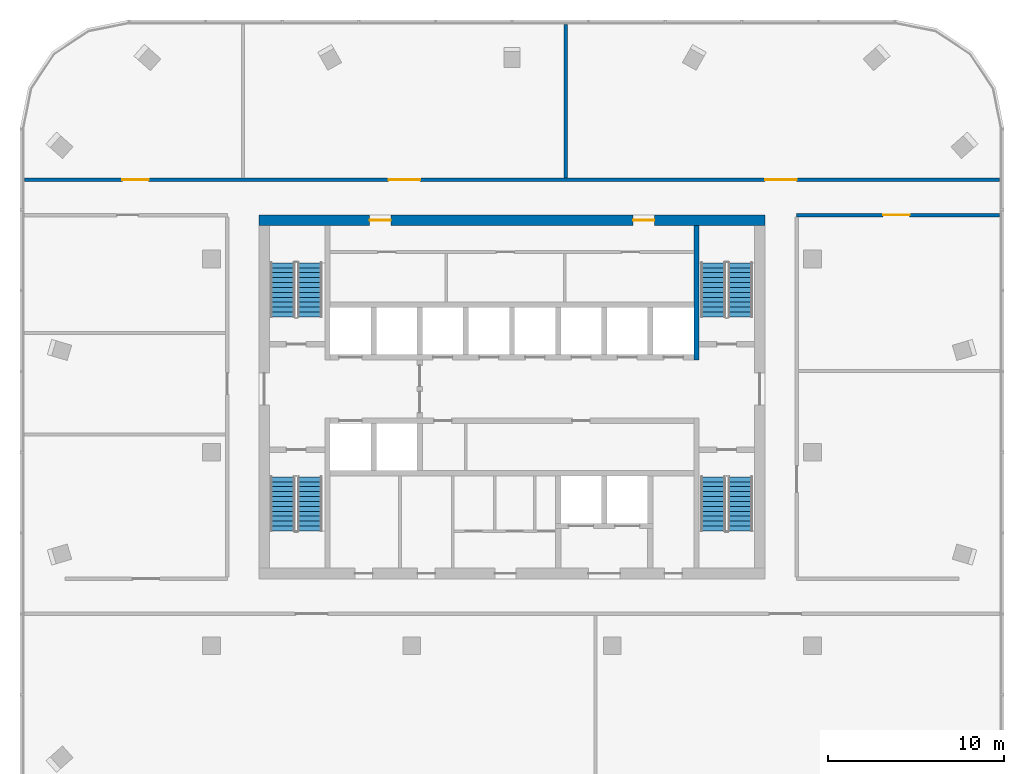
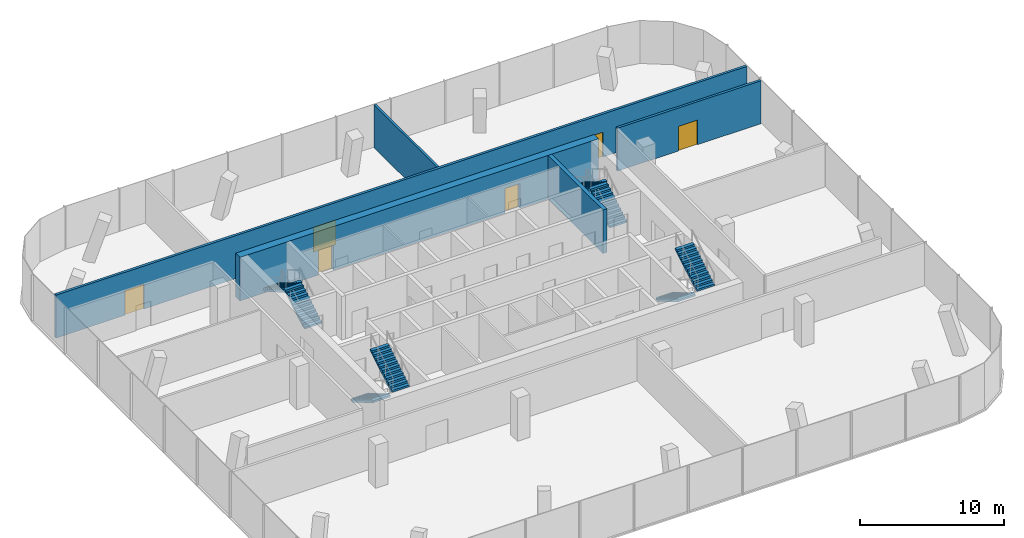
# One storey, part 9 of 10: 8 stair flights, 6 doors, 5 walls, 6 openings, 4 elements without a shape of their own.
"""IFC4 building model written with IfcOpenShell, lengths in metres."""

from ifc_helpers import new_model, si_unit, direction, frame, frame_2d, origin, place, context, subcontext, project, spatial, polyline, rectangle, outline, extrude, material, layer, layer_set, type_object, element, fill, aggregate, save


model = new_model("IFC4")

# Units and contexts
model_context = context("Model", 3, precision=1e-05, world=origin(), true_north=direction((0.0, 1.0)))
body_context = subcontext(model_context, "Body", "Model", "MODEL_VIEW")
ifc_project = project(units=[si_unit("LENGTHUNIT", "METRE"), si_unit("AREAUNIT", "SQUARE_METRE"), si_unit("VOLUMEUNIT", "CUBIC_METRE"), si_unit("PLANEANGLEUNIT", "RADIAN"), si_unit("MASSUNIT", "GRAM", prefix="KILO")], contexts=[model_context])

# Site, building, storey
site_placement = place(None, origin())
site = spatial("IfcSite", under=ifc_project, at=site_placement, CompositionType="ELEMENT")
building_placement = place(site_placement, origin())
building = spatial("IfcBuilding", under=site, at=building_placement, Name="Mopane Tessera Tower", CompositionType="ELEMENT")
storey_placement = place(building_placement, frame((0.0, 0.0, 325.39990234375)))
storey = spatial("IfcBuildingStorey", under=building, at=storey_placement, Name="L71", CompositionType="ELEMENT", Elevation=325.39990234375)

# Wall, openings, doors
ifc_material_1 = material(Name="Concrete C70/85", Category="concrete")
ifc_layer_1 = layer(ifc_material_1, 0.60009765625)
ifc_layer_set_1 = layer_set([ifc_layer_1], Name="Concrete C70/85")
wall_type_1 = type_object("IfcWallType", Name="Core shear wall 600 mm", PredefinedType="SHEAR", material=ifc_layer_set_1)
wall_1_placement = place(storey_placement, frame((-14.39990234375, 13.199951171875, 0.0), z_axis=(0.0, 0.0, 1.0), x_axis=(1.0, 0.0, 0.0)))
wall_1 = element("IfcWall", 1, at=wall_1_placement, inside=storey, type_object=wall_type_1, Name="L71 Core wall north", PredefinedType="SHEAR", context=body_context, shape_type="SweptSolid", body=[
    extrude(rectangle(XDim=28.7998046875, YDim=0.60009765625, at=frame_2d((14.39990234375, 0.0))), origin(), (0.0, 0.0, 1.0), 3.7001953125),
])
opening_1_placement = place(wall_1_placement, frame((6.300048828125, 0.0, 0.0)))
opening_1 = element("IfcOpeningElement", 2, at=opening_1_placement, cuts=wall_1, Name="Opening RD2", PredefinedType="OPENING", context=body_context, shape_type="SweptSolid", body=[
    extrude(rectangle(XDim=1.199951171875, YDim=2.10009765625, at=frame_2d((0.60009765625, 1.050048828125))), frame((0.0, 0.31201171875, 0.0), z_axis=(0.0, -1.0, 0.0), x_axis=(1.0, 0.0, 0.0)), (0.0, 0.0, 1.0), 0.6240234375),
])
opening_2_placement = place(wall_1_placement, frame((21.300048828125, 0.0, 0.0)))
opening_2 = element("IfcOpeningElement", 3, at=opening_2_placement, cuts=wall_1, Name="Opening RD2", PredefinedType="OPENING", context=body_context, shape_type="SweptSolid", body=[
    extrude(rectangle(XDim=1.199951171875, YDim=2.10009765625, at=frame_2d((0.60009765625, 1.050048828125))), frame((0.0, 0.31201171875, 0.0), z_axis=(0.0, -1.0, 0.0), x_axis=(1.0, 0.0, 0.0)), (0.0, 0.0, 1.0), 0.6240234375),
])
ifc_material_2 = material(Name="Timber door", Category="wood")
door_type_1 = type_object("IfcDoorType", Name="Core corridor door 1200 x 2100", OperationType="SINGLE_SWING_LEFT", PredefinedType="DOOR", material=ifc_material_2)
door_1_placement = place(opening_1_placement, origin())
door_1 = element("IfcDoor", 4, at=door_1_placement, inside=storey, type_object=door_type_1, Name="L71 Corridor door", OperationType="SINGLE_SWING_LEFT", OverallHeight=2.10009765625, OverallWidth=1.199951171875, PredefinedType="DOOR", context=body_context, shape_type="SweptSolid", body=[
    extrude(rectangle(XDim=1.199951171875, YDim=2.10009765625, at=frame_2d((0.60009765625, 1.050048828125))), frame((0.0, 0.02490234375, 0.0), z_axis=(0.0, -1.0, 0.0), x_axis=(1.0, 0.0, 0.0)), (0.0, 0.0, 1.0), 0.050048828125),
])
fill(opening_1, door_1)
door_2_placement = place(opening_2_placement, origin())
door_2 = element("IfcDoor", 5, at=door_2_placement, inside=storey, type_object=door_type_1, Name="L71 Corridor door", OperationType="SINGLE_SWING_RIGHT", OverallHeight=2.10009765625, OverallWidth=1.199951171875, PredefinedType="DOOR", context=body_context, shape_type="SweptSolid", body=[
    extrude(rectangle(XDim=1.199951171875, YDim=2.10009765625, at=frame_2d((0.60009765625, 1.050048828125))), frame((0.0, 0.02490234375, 0.0), z_axis=(0.0, -1.0, 0.0), x_axis=(1.0, 0.0, 0.0)), (0.0, 0.0, 1.0), 0.050048828125),
])
fill(opening_2, door_2)

# Walls
ifc_material_3 = material(Name="Concrete C60/75", Category="concrete")
ifc_layer_2 = layer(ifc_material_3, 0.300048828125)
ifc_layer_set_2 = layer_set([ifc_layer_2], Name="Concrete C60/75")
wall_type_2 = type_object("IfcWallType", Name="Core spine wall 300 mm", PredefinedType="SHEAR", material=ifc_layer_set_2)
wall_2_placement = place(storey_placement, frame((10.5, 5.25, 0.0), z_axis=(0.0, 0.0, 1.0), x_axis=(0.0, 1.0, 0.0)))
element("IfcWall", 6, at=wall_2_placement, inside=storey, type_object=wall_type_2, Name="L71 Core spine wall", PredefinedType="SHEAR", context=body_context, shape_type="SweptSolid", body=[
    extrude(rectangle(XDim=7.64990234375, YDim=0.300048828125, at=frame_2d((3.824951171875, 0.0))), origin(), (0.0, 0.0, 1.0), 3.7001953125),
])
ifc_material_4 = material(Name="Gypsum board on staggered steel studs, double layer each face, acoustic mineral wool infill", Category="steel")
ifc_layer_3 = layer(ifc_material_4, 0.175048828125)
ifc_layer_set_3 = layer_set([ifc_layer_3], Name="Gypsum board on staggered steel studs, double layer each face, acoustic mineral wool infill")
wall_type_3 = type_object("IfcWallType", Name="Gypsum board acoustic partition 175, rated EI 60", PredefinedType="PARTITIONING", material=ifc_layer_set_3)
wall_3_placement = place(storey_placement, frame((3.06005859375, 15.60009765625, 0.0), z_axis=(0.0, 0.0, 1.0), x_axis=(0.0, 1.0, 0.0)))
element("IfcWall", 7, at=wall_3_placement, inside=storey, type_object=wall_type_3, Name="Partition L71:011", PredefinedType="PARTITIONING", context=body_context, shape_type="SweptSolid", body=[
    extrude(rectangle(XDim=8.75, YDim=0.175048828125, at=frame_2d((4.375, 0.0))), origin(), (0.0, 0.0, 1.0), 3.650146484375),
])

# Wall, opening, door
ifc_material_5 = material(Name="Gypsum board on steel studs, two layers each face, mineral wool infill", Category="steel")
ifc_layer_4 = layer(ifc_material_5, 0.199951171875)
ifc_layer_set_4 = layer_set([ifc_layer_4], Name="Gypsum board on steel studs, two layers each face, mineral wool infill")
wall_type_4 = type_object("IfcWallType", Name="Gypsum board corridor wall 200, rated EI 60", PredefinedType="PARTITIONING", material=ifc_layer_set_4)
wall_4_placement = place(storey_placement, frame((16.199951171875, 13.5, 0.0), z_axis=(0.0, 0.0, 1.0), x_axis=(1.0, 0.0, 0.0)))
wall_4 = element("IfcWall", 8, at=wall_4_placement, inside=storey, type_object=wall_type_4, Name="Partition L71:007", PredefinedType="PARTITIONING", context=body_context, shape_type="SweptSolid", body=[
    extrude(rectangle(XDim=11.550048828125, YDim=0.199951171875, at=frame_2d((5.77490234375, 0.0))), origin(), (0.0, 0.0, 1.0), 3.650146484375),
])
opening_3_placement = place(wall_4_placement, frame((4.925048828125, 0.0, 0.0)))
opening_3 = element("IfcOpeningElement", 9, at=opening_3_placement, cuts=wall_4, Name="Opening L71-10", PredefinedType="OPENING", context=body_context, shape_type="SweptSolid", body=[
    extrude(rectangle(XDim=1.5, YDim=2.10009765625, at=frame_2d((0.75, 1.050048828125))), frame((0.0, 0.112060546875, 0.0), z_axis=(0.0, -1.0, 0.0), x_axis=(1.0, 0.0, 0.0)), (0.0, 0.0, 1.0), 0.223876953125),
])
ifc_material_6 = material(Name="Timber veneered steel-framed fire door", Category="steel")
door_type_2 = type_object("IfcDoorType", Name="Fire door pair FD60 1500 x 2100", OperationType="DOUBLE_DOOR_SINGLE_SWING", PredefinedType="DOOR", material=ifc_material_6)
door_3_placement = place(opening_3_placement, origin())
door_3 = element("IfcDoor", 10, at=door_3_placement, inside=storey, type_object=door_type_2, Name="Door L71-10", ObjectType="D17A", OperationType="DOUBLE_DOOR_SINGLE_SWING", OverallHeight=2.10009765625, OverallWidth=1.5, PredefinedType="DOOR", context=body_context, shape_type="SweptSolid", body=[
    extrude(rectangle(XDim=1.5, YDim=2.10009765625, at=frame_2d((0.75, 1.050048828125))), frame((0.0, 0.02490234375, 0.0), z_axis=(0.0, -1.0, 0.0), x_axis=(1.0, 0.0, 0.0)), (0.0, 0.0, 1.0), 0.050048828125),
])
fill(opening_3, door_3)

# Wall, openings, doors
wall_5_placement = place(storey_placement, frame((-27.75, 15.5, 0.0), z_axis=(0.0, 0.0, 1.0), x_axis=(1.0, 0.0, 0.0)))
wall_5 = element("IfcWall", 11, at=wall_5_placement, inside=storey, type_object=wall_type_4, Name="Partition L71:008", PredefinedType="PARTITIONING", context=body_context, shape_type="SweptSolid", body=[
    extrude(rectangle(XDim=55.5, YDim=0.199951171875, at=frame_2d((27.75, 0.0))), origin(), (0.0, 0.0, 1.0), 3.650146484375),
])
opening_4_placement = place(wall_5_placement, frame((42.155029296875, 0.0, 0.0)))
opening_4 = element("IfcOpeningElement", 12, at=opening_4_placement, cuts=wall_5, Name="Opening L71-01", PredefinedType="OPENING", context=body_context, shape_type="SweptSolid", body=[
    extrude(rectangle(XDim=1.800048828125, YDim=2.10009765625, at=frame_2d((0.89990234375, 1.050048828125))), frame((0.0, 0.112060546875, 0.0), z_axis=(0.0, -1.0, 0.0), x_axis=(1.0, 0.0, 0.0)), (0.0, 0.0, 1.0), 0.223876953125),
])
opening_5_placement = place(wall_5_placement, frame((5.572509765625, 0.0, 0.0)))
opening_5 = element("IfcOpeningElement", 13, at=opening_5_placement, cuts=wall_5, Name="Opening L71-04", PredefinedType="OPENING", context=body_context, shape_type="SweptSolid", body=[
    extrude(rectangle(XDim=1.5, YDim=2.10009765625, at=frame_2d((0.75, 1.050048828125))), frame((0.0, 0.112060546875, 0.0), z_axis=(0.0, -1.0, 0.0), x_axis=(1.0, 0.0, 0.0)), (0.0, 0.0, 1.0), 0.223876953125),
])
opening_6_placement = place(wall_5_placement, frame((20.7275390625, 0.0, 0.0)))
opening_6 = element("IfcOpeningElement", 14, at=opening_6_placement, cuts=wall_5, Name="Opening L71-09", PredefinedType="OPENING", context=body_context, shape_type="SweptSolid", body=[
    extrude(rectangle(XDim=1.800048828125, YDim=2.10009765625, at=frame_2d((0.89990234375, 1.050048828125))), frame((0.0, 0.112060546875, 0.0), z_axis=(0.0, -1.0, 0.0), x_axis=(1.0, 0.0, 0.0)), (0.0, 0.0, 1.0), 0.223876953125),
])
door_4_placement = place(opening_5_placement, origin())
door_4 = element("IfcDoor", 15, at=door_4_placement, inside=storey, type_object=door_type_2, Name="Door L71-04", ObjectType="D17A", OperationType="DOUBLE_DOOR_SINGLE_SWING", OverallHeight=2.10009765625, OverallWidth=1.5, PredefinedType="DOOR", context=body_context, shape_type="SweptSolid", body=[
    extrude(rectangle(XDim=1.5, YDim=2.10009765625, at=frame_2d((0.75, 1.050048828125))), frame((0.0, 0.02490234375, 0.0), z_axis=(0.0, -1.0, 0.0), x_axis=(1.0, 0.0, 0.0)), (0.0, 0.0, 1.0), 0.050048828125),
])
fill(opening_5, door_4)
ifc_material_7 = material(Name="Timber veneered steel-framed fire door", Category="steel")
door_type_3 = type_object("IfcDoorType", Name="Fire door pair FD60 1800 x 2100", OperationType="DOUBLE_DOOR_SINGLE_SWING", PredefinedType="DOOR", material=ifc_material_7)
door_5_placement = place(opening_4_placement, origin())
door_5 = element("IfcDoor", 16, at=door_5_placement, inside=storey, type_object=door_type_3, Name="Door L71-01", ObjectType="D20A", OperationType="DOUBLE_DOOR_SINGLE_SWING", OverallHeight=2.10009765625, OverallWidth=1.800048828125, PredefinedType="DOOR", context=body_context, shape_type="SweptSolid", body=[
    extrude(rectangle(XDim=1.800048828125, YDim=2.10009765625, at=frame_2d((0.89990234375, 1.050048828125))), frame((0.0, 0.02490234375, 0.0), z_axis=(0.0, -1.0, 0.0), x_axis=(1.0, 0.0, 0.0)), (0.0, 0.0, 1.0), 0.050048828125),
])
fill(opening_4, door_5)
door_6_placement = place(opening_6_placement, origin())
door_6 = element("IfcDoor", 17, at=door_6_placement, inside=storey, type_object=door_type_3, Name="Door L71-09", ObjectType="D20A", OperationType="DOUBLE_DOOR_SINGLE_SWING", OverallHeight=2.10009765625, OverallWidth=1.800048828125, PredefinedType="DOOR", context=body_context, shape_type="SweptSolid", body=[
    extrude(rectangle(XDim=1.800048828125, YDim=2.10009765625, at=frame_2d((0.89990234375, 1.050048828125))), frame((0.0, 0.02490234375, 0.0), z_axis=(0.0, -1.0, 0.0), x_axis=(1.0, 0.0, 0.0)), (0.0, 0.0, 1.0), 0.050048828125),
])
fill(opening_6, door_6)

# Stair, stair flights
ifc_material_8 = material(Name="Concrete C50/60", Category="concrete")
stair_type = type_object("IfcStairType", Name="Escape stair 1400 mm, riser 167 mm", PredefinedType="HALF_TURN_STAIR", material=ifc_material_8)
stair_1_placement = place(storey_placement, origin())
stair_1 = element("IfcStair", 18, at=stair_1_placement, inside=storey, type_object=stair_type, Name="L71 Escape stair south-west", PredefinedType="HALF_TURN_STAIR")
ifc_material_9 = material(Name="Concrete C50/60", Category="concrete")
stair_flight_type = type_object("IfcStairFlightType", Name="Escape stair flight 1400 mm", PredefinedType="STRAIGHT", material=ifc_material_9)
stair_flight_1_placement = place(storey_placement, frame((-13.050048828125, -1.39990234375, 0.0), z_axis=(0.0, 0.0, 1.0), x_axis=(0.0, -1.0, 0.0)))
stair_flight_1 = element("IfcStairFlight", 19, at=stair_flight_1_placement, type_object=stair_flight_type, Name="ST1 flight 1", NumberOfRisers=12, NumberOfTreads=11, PredefinedType="STRAIGHT", RiserHeight=0.166666667, TreadLength=0.28, context=body_context, shape_type="SweptSolid", body=[
    extrude(outline(polyline([(0.0, 0.0), (0.0, 0.166748046875), (0.280029296875, 0.166748046875), (0.280029296875, 0.333251953125), (0.56005859375, 0.333251953125), (0.56005859375, 0.5), (0.840087890625, 0.5), (0.840087890625, 0.666748046875), (1.1201171875, 0.666748046875), (1.1201171875, 0.833251953125), (1.39990234375, 0.833251953125), (1.39990234375, 1.0), (1.679931640625, 1.0), (1.679931640625, 1.166748046875), (1.9599609375, 1.166748046875), (1.9599609375, 1.333251953125), (2.239990234375, 1.333251953125), (2.239990234375, 1.5), (2.52001953125, 1.5), (2.52001953125, 1.666748046875), (2.800048828125, 1.666748046875), (2.800048828125, 1.833251953125), (3.080078125, 1.833251953125), (3.080078125, 2.0), (3.080078125, 1.658935546875), (0.29296875, 0.0), (0.0, 0.0)])), frame((0.0, 0.699951171875, 0.0), z_axis=(0.0, -1.0, 0.0), x_axis=(1.0, 0.0, 0.0)), (0.0, 0.0, 1.0), 1.39990234375),
])
stair_flight_2_placement = place(storey_placement, frame((-11.5, -4.47998046875, 2.0), z_axis=(0.0, 0.0, 1.0), x_axis=(0.0, 1.0, 0.0)))
stair_flight_2 = element("IfcStairFlight", 20, at=stair_flight_2_placement, type_object=stair_flight_type, Name="ST1 flight 2", NumberOfRisers=12, NumberOfTreads=11, PredefinedType="STRAIGHT", RiserHeight=0.166666667, TreadLength=0.28, context=body_context, shape_type="SweptSolid", body=[
    extrude(outline(polyline([(0.0, 0.0), (0.0, 0.166748046875), (0.280029296875, 0.166748046875), (0.280029296875, 0.333251953125), (0.56005859375, 0.333251953125), (0.56005859375, 0.5), (0.840087890625, 0.5), (0.840087890625, 0.666748046875), (1.1201171875, 0.666748046875), (1.1201171875, 0.833251953125), (1.39990234375, 0.833251953125), (1.39990234375, 1.0), (1.679931640625, 1.0), (1.679931640625, 1.166748046875), (1.9599609375, 1.166748046875), (1.9599609375, 1.333251953125), (2.239990234375, 1.333251953125), (2.239990234375, 1.5), (2.52001953125, 1.5), (2.52001953125, 1.666748046875), (2.800048828125, 1.666748046875), (2.800048828125, 1.833251953125), (3.080078125, 1.833251953125), (3.080078125, 2.0), (3.080078125, 1.658935546875), (0.29296875, 0.0), (0.0, 0.0)])), frame((0.0, 0.699951171875, 0.0), z_axis=(0.0, -1.0, 0.0), x_axis=(1.0, 0.0, 0.0)), (0.0, 0.0, 1.0), 1.39990234375),
])
aggregate(stair_1, [stair_flight_1, stair_flight_2])

stair_2_placement = place(storey_placement, origin())
stair_2 = element("IfcStair", 21, at=stair_2_placement, inside=storey, type_object=stair_type, Name="L71 Escape stair north-west", PredefinedType="HALF_TURN_STAIR")
stair_flight_3_placement = place(storey_placement, frame((-11.5, 7.699951171875, 0.0), z_axis=(0.0, 0.0, 1.0), x_axis=(0.0, 1.0, 0.0)))
stair_flight_3 = element("IfcStairFlight", 22, at=stair_flight_3_placement, type_object=stair_flight_type, Name="ST2 flight 1", NumberOfRisers=12, NumberOfTreads=11, PredefinedType="STRAIGHT", RiserHeight=0.166666667, TreadLength=0.28, context=body_context, shape_type="SweptSolid", body=[
    extrude(outline(polyline([(0.0, 0.0), (0.0, 0.166748046875), (0.280029296875, 0.166748046875), (0.280029296875, 0.333251953125), (0.56005859375, 0.333251953125), (0.56005859375, 0.5), (0.840087890625, 0.5), (0.840087890625, 0.666748046875), (1.1201171875, 0.666748046875), (1.1201171875, 0.833251953125), (1.39990234375, 0.833251953125), (1.39990234375, 1.0), (1.679931640625, 1.0), (1.679931640625, 1.166748046875), (1.9599609375, 1.166748046875), (1.9599609375, 1.333251953125), (2.239990234375, 1.333251953125), (2.239990234375, 1.5), (2.52001953125, 1.5), (2.52001953125, 1.666748046875), (2.800048828125, 1.666748046875), (2.800048828125, 1.833251953125), (3.080078125, 1.833251953125), (3.080078125, 2.0), (3.080078125, 1.658935546875), (0.29296875, 0.0), (0.0, 0.0)])), frame((0.0, 0.699951171875, 0.0), z_axis=(0.0, -1.0, 0.0), x_axis=(1.0, 0.0, 0.0)), (0.0, 0.0, 1.0), 1.39990234375),
])
stair_flight_4_placement = place(storey_placement, frame((-13.050048828125, 10.780029296875, 2.0), z_axis=(0.0, 0.0, 1.0), x_axis=(0.0, -1.0, 0.0)))
stair_flight_4 = element("IfcStairFlight", 23, at=stair_flight_4_placement, type_object=stair_flight_type, Name="ST2 flight 2", NumberOfRisers=12, NumberOfTreads=11, PredefinedType="STRAIGHT", RiserHeight=0.166666667, TreadLength=0.28, context=body_context, shape_type="SweptSolid", body=[
    extrude(outline(polyline([(0.0, 0.0), (0.0, 0.166748046875), (0.280029296875, 0.166748046875), (0.280029296875, 0.333251953125), (0.56005859375, 0.333251953125), (0.56005859375, 0.5), (0.840087890625, 0.5), (0.840087890625, 0.666748046875), (1.1201171875, 0.666748046875), (1.1201171875, 0.833251953125), (1.39990234375, 0.833251953125), (1.39990234375, 1.0), (1.679931640625, 1.0), (1.679931640625, 1.166748046875), (1.9599609375, 1.166748046875), (1.9599609375, 1.333251953125), (2.239990234375, 1.333251953125), (2.239990234375, 1.5), (2.52001953125, 1.5), (2.52001953125, 1.666748046875), (2.800048828125, 1.666748046875), (2.800048828125, 1.833251953125), (3.080078125, 1.833251953125), (3.080078125, 2.0), (3.080078125, 1.658935546875), (0.29296875, 0.0), (0.0, 0.0)])), frame((0.0, 0.699951171875, 0.0), z_axis=(0.0, -1.0, 0.0), x_axis=(1.0, 0.0, 0.0)), (0.0, 0.0, 1.0), 1.39990234375),
])
aggregate(stair_2, [stair_flight_3, stair_flight_4])

stair_3_placement = place(storey_placement, origin())
stair_3 = element("IfcStair", 24, at=stair_3_placement, inside=storey, type_object=stair_type, Name="L71 Escape stair south-east", PredefinedType="HALF_TURN_STAIR")
stair_flight_5_placement = place(storey_placement, frame((11.449951171875, -1.39990234375, 0.0), z_axis=(0.0, 0.0, 1.0), x_axis=(0.0, -1.0, 0.0)))
stair_flight_5 = element("IfcStairFlight", 25, at=stair_flight_5_placement, type_object=stair_flight_type, Name="ST3 flight 1", NumberOfRisers=12, NumberOfTreads=11, PredefinedType="STRAIGHT", RiserHeight=0.166666667, TreadLength=0.28, context=body_context, shape_type="SweptSolid", body=[
    extrude(outline(polyline([(0.0, 0.0), (0.0, 0.166748046875), (0.280029296875, 0.166748046875), (0.280029296875, 0.333251953125), (0.56005859375, 0.333251953125), (0.56005859375, 0.5), (0.840087890625, 0.5), (0.840087890625, 0.666748046875), (1.1201171875, 0.666748046875), (1.1201171875, 0.833251953125), (1.39990234375, 0.833251953125), (1.39990234375, 1.0), (1.679931640625, 1.0), (1.679931640625, 1.166748046875), (1.9599609375, 1.166748046875), (1.9599609375, 1.333251953125), (2.239990234375, 1.333251953125), (2.239990234375, 1.5), (2.52001953125, 1.5), (2.52001953125, 1.666748046875), (2.800048828125, 1.666748046875), (2.800048828125, 1.833251953125), (3.080078125, 1.833251953125), (3.080078125, 2.0), (3.080078125, 1.658935546875), (0.29296875, 0.0), (0.0, 0.0)])), frame((0.0, 0.699951171875, 0.0), z_axis=(0.0, -1.0, 0.0), x_axis=(1.0, 0.0, 0.0)), (0.0, 0.0, 1.0), 1.39990234375),
])
stair_flight_6_placement = place(storey_placement, frame((13.0, -4.47998046875, 2.0), z_axis=(0.0, 0.0, 1.0), x_axis=(0.0, 1.0, 0.0)))
stair_flight_6 = element("IfcStairFlight", 26, at=stair_flight_6_placement, type_object=stair_flight_type, Name="ST3 flight 2", NumberOfRisers=12, NumberOfTreads=11, PredefinedType="STRAIGHT", RiserHeight=0.166666667, TreadLength=0.28, context=body_context, shape_type="SweptSolid", body=[
    extrude(outline(polyline([(0.0, 0.0), (0.0, 0.166748046875), (0.280029296875, 0.166748046875), (0.280029296875, 0.333251953125), (0.56005859375, 0.333251953125), (0.56005859375, 0.5), (0.840087890625, 0.5), (0.840087890625, 0.666748046875), (1.1201171875, 0.666748046875), (1.1201171875, 0.833251953125), (1.39990234375, 0.833251953125), (1.39990234375, 1.0), (1.679931640625, 1.0), (1.679931640625, 1.166748046875), (1.9599609375, 1.166748046875), (1.9599609375, 1.333251953125), (2.239990234375, 1.333251953125), (2.239990234375, 1.5), (2.52001953125, 1.5), (2.52001953125, 1.666748046875), (2.800048828125, 1.666748046875), (2.800048828125, 1.833251953125), (3.080078125, 1.833251953125), (3.080078125, 2.0), (3.080078125, 1.658935546875), (0.29296875, 0.0), (0.0, 0.0)])), frame((0.0, 0.699951171875, 0.0), z_axis=(0.0, -1.0, 0.0), x_axis=(1.0, 0.0, 0.0)), (0.0, 0.0, 1.0), 1.39990234375),
])
aggregate(stair_3, [stair_flight_5, stair_flight_6])

stair_4_placement = place(storey_placement, origin())
stair_4 = element("IfcStair", 27, at=stair_4_placement, inside=storey, type_object=stair_type, Name="L71 Escape stair north-east", PredefinedType="HALF_TURN_STAIR")
stair_flight_7_placement = place(storey_placement, frame((13.0, 7.699951171875, 0.0), z_axis=(0.0, 0.0, 1.0), x_axis=(0.0, 1.0, 0.0)))
stair_flight_7 = element("IfcStairFlight", 28, at=stair_flight_7_placement, type_object=stair_flight_type, Name="ST4 flight 1", NumberOfRisers=12, NumberOfTreads=11, PredefinedType="STRAIGHT", RiserHeight=0.166666667, TreadLength=0.28, context=body_context, shape_type="SweptSolid", body=[
    extrude(outline(polyline([(0.0, 0.0), (0.0, 0.166748046875), (0.280029296875, 0.166748046875), (0.280029296875, 0.333251953125), (0.56005859375, 0.333251953125), (0.56005859375, 0.5), (0.840087890625, 0.5), (0.840087890625, 0.666748046875), (1.1201171875, 0.666748046875), (1.1201171875, 0.833251953125), (1.39990234375, 0.833251953125), (1.39990234375, 1.0), (1.679931640625, 1.0), (1.679931640625, 1.166748046875), (1.9599609375, 1.166748046875), (1.9599609375, 1.333251953125), (2.239990234375, 1.333251953125), (2.239990234375, 1.5), (2.52001953125, 1.5), (2.52001953125, 1.666748046875), (2.800048828125, 1.666748046875), (2.800048828125, 1.833251953125), (3.080078125, 1.833251953125), (3.080078125, 2.0), (3.080078125, 1.658935546875), (0.29296875, 0.0), (0.0, 0.0)])), frame((0.0, 0.699951171875, 0.0), z_axis=(0.0, -1.0, 0.0), x_axis=(1.0, 0.0, 0.0)), (0.0, 0.0, 1.0), 1.39990234375),
])
stair_flight_8_placement = place(storey_placement, frame((11.449951171875, 10.780029296875, 2.0), z_axis=(0.0, 0.0, 1.0), x_axis=(0.0, -1.0, 0.0)))
stair_flight_8 = element("IfcStairFlight", 29, at=stair_flight_8_placement, type_object=stair_flight_type, Name="ST4 flight 2", NumberOfRisers=12, NumberOfTreads=11, PredefinedType="STRAIGHT", RiserHeight=0.166666667, TreadLength=0.28, context=body_context, shape_type="SweptSolid", body=[
    extrude(outline(polyline([(0.0, 0.0), (0.0, 0.166748046875), (0.280029296875, 0.166748046875), (0.280029296875, 0.333251953125), (0.56005859375, 0.333251953125), (0.56005859375, 0.5), (0.840087890625, 0.5), (0.840087890625, 0.666748046875), (1.1201171875, 0.666748046875), (1.1201171875, 0.833251953125), (1.39990234375, 0.833251953125), (1.39990234375, 1.0), (1.679931640625, 1.0), (1.679931640625, 1.166748046875), (1.9599609375, 1.166748046875), (1.9599609375, 1.333251953125), (2.239990234375, 1.333251953125), (2.239990234375, 1.5), (2.52001953125, 1.5), (2.52001953125, 1.666748046875), (2.800048828125, 1.666748046875), (2.800048828125, 1.833251953125), (3.080078125, 1.833251953125), (3.080078125, 2.0), (3.080078125, 1.658935546875), (0.29296875, 0.0), (0.0, 0.0)])), frame((0.0, 0.699951171875, 0.0), z_axis=(0.0, -1.0, 0.0), x_axis=(1.0, 0.0, 0.0)), (0.0, 0.0, 1.0), 1.39990234375),
])
aggregate(stair_4, [stair_flight_7, stair_flight_8])

save(model, "model.ifc")
